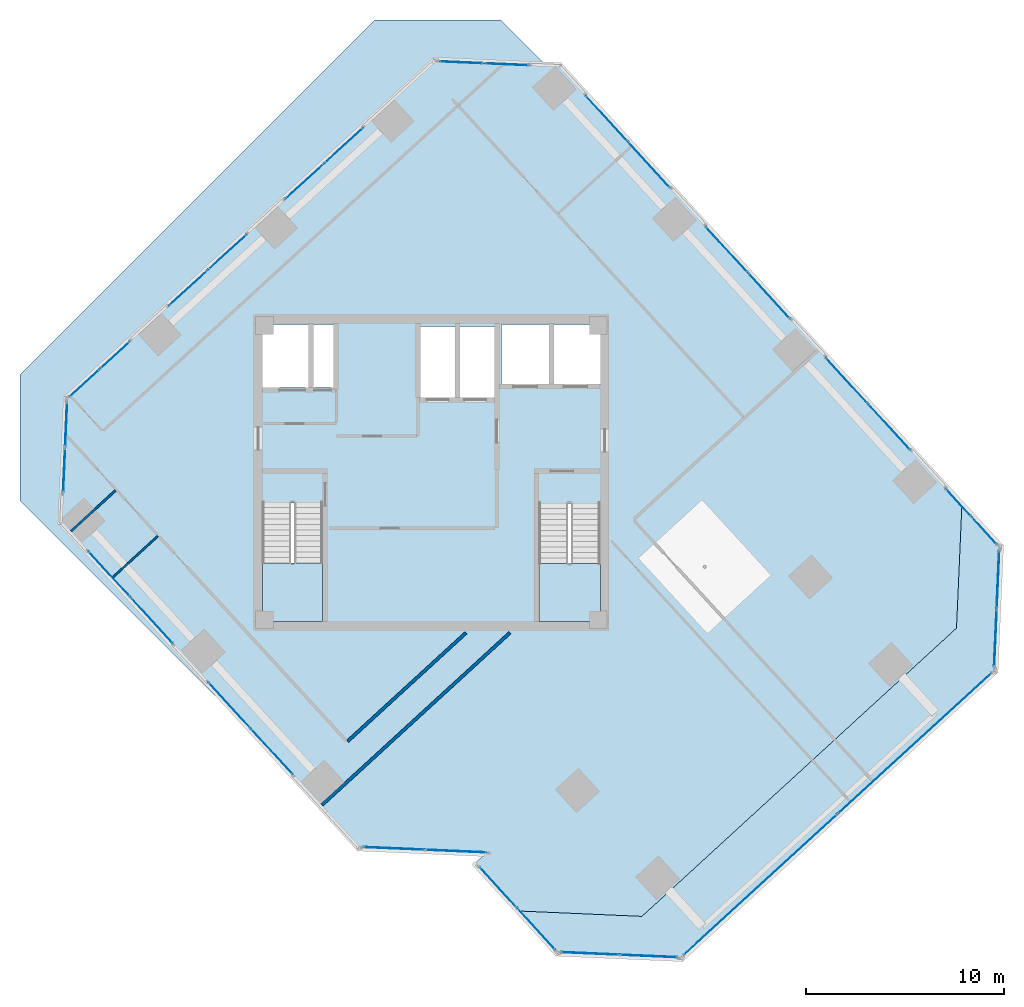
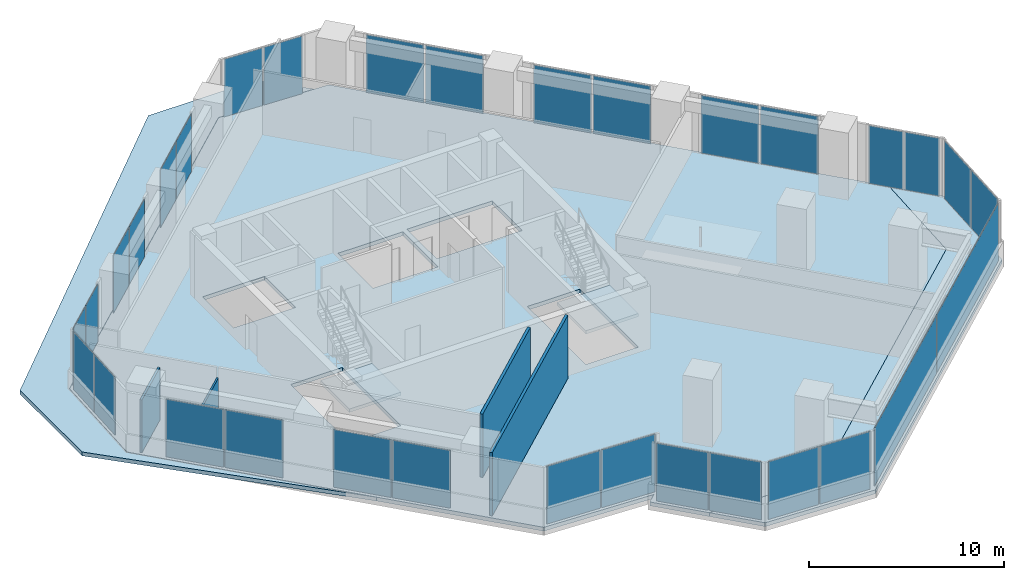
# One storey, part 11 of 17: 32 plates, 5 slabs, 4 walls, 18 elements without a shape of their own.
"""IFC4 building model written with IfcOpenShell, lengths in metres."""

from ifc_helpers import new_model, si_unit, direction, frame, frame_2d, origin, origin_2d, place, context, subcontext, project, spatial, polyline, rectangle, outline, extrude, source, transform, mapped, material, layer, layer_set, type_object, element, aggregate, save


model = new_model("IFC4")

# Units and contexts
model_context = context("Model", 3, precision=1e-05, world=origin(), true_north=direction((0.0, 1.0)))
body_context = subcontext(model_context, "Body", "Model", "MODEL_VIEW")
ifc_project = project(units=[si_unit("LENGTHUNIT", "METRE"), si_unit("AREAUNIT", "SQUARE_METRE"), si_unit("VOLUMEUNIT", "CUBIC_METRE"), si_unit("PLANEANGLEUNIT", "RADIAN"), si_unit("MASSUNIT", "GRAM", prefix="KILO")], contexts=[model_context])

# Site, building, storey
site_placement = place(None, origin())
site = spatial("IfcSite", under=ifc_project, at=site_placement, CompositionType="ELEMENT")
building_placement = place(site_placement, origin())
building = spatial("IfcBuilding", under=site, at=building_placement, Name="Torre Montelarca", CompositionType="ELEMENT")
storey_placement = place(building_placement, frame((0.0, 0.0, 254.199951171875)))
storey = spatial("IfcBuildingStorey", under=building, at=storey_placement, Name="L57", CompositionType="ELEMENT", Elevation=254.199951171875)

# Slabs
ifc_material_1 = material(Name="Concrete C40/50", Category="concrete")
ifc_layer_1 = layer(ifc_material_1, 0.239990234375, Name="Concrete C40/50", Category="concrete")
ifc_layer_set_1 = layer_set([ifc_layer_1], Name="Concrete C40/50")
slab_type_1 = type_object("IfcSlabType", Name="SL-FLR-240", PredefinedType="FLOOR", material=ifc_layer_set_1)
slab_1_placement = place(storey_placement, frame((0.0, 0.0, -0.239990234375)))
element("IfcSlab", 1, at=slab_1_placement, inside=storey, type_object=slab_type_1, Name="L57 Structural Floor Slab", PredefinedType="FLOOR", context=body_context, shape_type="SweptSolid", body=[
    extrude(outline(polyline([(14.297119140625, 12.92138671875), (20.65478515625, 12.643798828125), (20.138916015625, 12.1708984375), (22.30078125, 9.8115234375), (28.65869140625, 9.533935546875), (44.583740234375, 24.126708984375), (44.861328125, 30.484619140625), (24.526123046875, 52.676513671875), (18.168212890625, 52.9541015625), (-0.55859375, 35.794189453125), (-0.836181640625, 29.436279296875), (14.297119140625, 12.92138671875)]), holes=[polyline([(26.550048828125, 24.449951171875), (23.43994140625, 24.449951171875), (23.43994140625, 30.429931640625), (26.550048828125, 30.429931640625), (26.550048828125, 24.449951171875)]), polyline([(12.5, 24.449951171875), (9.449951171875, 24.449951171875), (9.449951171875, 30.4599609375), (12.5, 30.4599609375), (12.5, 24.449951171875)]), polyline([(21.25, 39.39990234375), (21.25, 35.800048828125), (17.39990234375, 35.800048828125), (17.39990234375, 39.39990234375), (21.25, 39.39990234375)]), polyline([(13.1201171875, 36.300048828125), (9.449951171875, 36.300048828125), (9.449951171875, 39.5), (13.1201171875, 39.5), (13.1201171875, 36.300048828125)]), polyline([(26.60009765625, 36.449951171875), (21.550048828125, 36.449951171875), (21.550048828125, 39.5), (26.60009765625, 39.5), (26.60009765625, 36.449951171875)])]), origin(), (0.0, 0.0, 1.0), 0.239990234375),
])
slab_2_placement = place(storey_placement, frame((0.0, 0.0, -0.239990234375)))
element("IfcSlab", 2, at=slab_2_placement, inside=storey, type_object=slab_type_1, Name="L57 Sliding Tray Winter Garden Floor Slab E1", PredefinedType="FLOOR", context=body_context, shape_type="SweptSolid", body=[
    extrude(outline(polyline([(44.861328125, 30.484619140625), (44.583740234375, 24.126708984375), (28.65869140625, 9.533935546875), (22.30078125, 9.8115234375), (24.327392578125, 7.599609375), (30.685302734375, 7.322021484375), (46.610595703125, 21.914794921875), (46.88818359375, 28.272705078125), (44.861328125, 30.484619140625)])), origin(), (0.0, 0.0, 1.0), 0.239990234375),
])
ifc_material_2 = material(Name="Architectural concrete C40/50", Category="concrete")
ifc_layer_2 = layer(ifc_material_2, 0.239990234375, Name="Architectural concrete C40/50", Category="concrete")
ifc_layer_set_2 = layer_set([ifc_layer_2], Name="Architectural concrete C40/50")
slab_type_2 = type_object("IfcSlabType", Name="SL-ROOF-EXT-240", PredefinedType="ROOF", material=ifc_layer_set_2)
slab_3_placement = place(storey_placement, frame((0.0, 0.0, -0.239990234375)))
element("IfcSlab", 3, at=slab_3_placement, inside=storey, type_object=slab_type_2, Name="L56 Setback and Tray Overhang Roof Cap Slab 01", PredefinedType="ROOF", context=body_context, shape_type="SweptSolid", body=[
    extrude(outline(polyline([(-0.84423828125, 29.433349609375), (-0.56640625, 35.7978515625), (18.165283203125, 52.96240234375), (23.689208984375, 52.72119140625), (21.5, 54.910400390625), (15.135986328125, 54.910400390625), (-2.824462890625, 36.94970703125), (-2.824462890625, 30.585693359375), (8.220458984375, 19.540771484375), (-0.84423828125, 29.433349609375)])), origin(), (0.0, 0.0, 1.0), 0.239990234375),
])

# Stair, slab
stair_type_1 = type_object("IfcStairType", Name="ST-CORE-ST1", PredefinedType="HALF_TURN_STAIR", material=ifc_material_1)
stair_1_placement = place(storey_placement, origin())
stair_1 = element("IfcStair", 4, at=stair_1_placement, inside=storey, type_object=stair_type_1, Name="L57 Protected Exit Stair ST1", PredefinedType="HALF_TURN_STAIR")
ifc_layer_3 = layer(ifc_material_1, 0.199951171875, Name="Concrete C40/50", Category="concrete")
ifc_layer_set_3 = layer_set([ifc_layer_3], Name="Concrete C40/50")
slab_type_3 = type_object("IfcSlabType", Name="SL-ST-LAND-ST1", PredefinedType="LANDING", material=ifc_layer_set_3)
slab_4_placement = place(storey_placement, frame((0.0, 0.0, 1.900146484375)))
slab_4 = element("IfcSlab", 5, at=slab_4_placement, type_object=slab_type_3, Name="ST1 landing 1", PredefinedType="LANDING", context=body_context, shape_type="SweptSolid", body=[
    extrude(outline(polyline([(9.449951171875, 27.419921875), (9.449951171875, 24.449951171875), (12.5, 24.449951171875), (12.5, 27.419921875), (9.449951171875, 27.419921875)])), origin(), (0.0, 0.0, 1.0), 0.199951171875),
])
aggregate(stair_1, [slab_4])

stair_type_2 = type_object("IfcStairType", Name="ST-CORE-ST2", PredefinedType="HALF_TURN_STAIR", material=ifc_material_1)
stair_2_placement = place(storey_placement, origin())
stair_2 = element("IfcStair", 6, at=stair_2_placement, inside=storey, type_object=stair_type_2, Name="L57 Protected Exit Stair ST2", PredefinedType="HALF_TURN_STAIR")
ifc_layer_4 = layer(ifc_material_1, 0.199951171875, Name="Concrete C40/50", Category="concrete")
ifc_layer_set_4 = layer_set([ifc_layer_4], Name="Concrete C40/50")
slab_type_4 = type_object("IfcSlabType", Name="SL-ST-LAND-ST2", PredefinedType="LANDING", material=ifc_layer_set_4)
slab_5_placement = place(storey_placement, frame((0.0, 0.0, 1.900146484375)))
slab_5 = element("IfcSlab", 7, at=slab_5_placement, type_object=slab_type_4, Name="ST2 landing 1", PredefinedType="LANDING", context=body_context, shape_type="SweptSolid", body=[
    extrude(outline(polyline([(23.43994140625, 27.389892578125), (23.43994140625, 24.449951171875), (26.550048828125, 24.449951171875), (26.550048828125, 27.389892578125), (23.43994140625, 27.389892578125)])), origin(), (0.0, 0.0, 1.0), 0.199951171875),
])
aggregate(stair_2, [slab_5])

# Curtain wall, plates
ifc_material_3 = material(Name="Insulated low-E laminated glass", Category="glass")
curtain_wall_type = type_object("IfcCurtainWallType", Name="CW-SYS-Z3", PredefinedType="USERDEFINED", material=ifc_material_3)
curtain_wall_1_placement = place(storey_placement, origin())
curtain_wall_1 = element("IfcCurtainWall", 8, at=curtain_wall_1_placement, inside=storey, type_object=curtain_wall_type, Name="L57 Curtain Wall Run CW-T3-L57-E02-B1", ObjectType="UNITISED GLAZING", PredefinedType="USERDEFINED")
ifc_layer_5 = layer(ifc_material_3, 0.031982421875, Name="Insulated low-E laminated glass", Category="glass")
ifc_layer_set_5 = layer_set([ifc_layer_5], Name="Insulated low-E laminated glass")
plate_type = type_object("IfcPlateType", Name="CWP-GLZ-32", PredefinedType="CURTAIN_PANEL", material=ifc_layer_set_5)
shared_shape_1 = source(origin(), body_context, "Body", "SweptSolid", [
    extrude(rectangle(XDim=3.08740234375, YDim=0.031982421875, at=origin_2d()), origin(), (0.0, 0.0, 1.0), 3.610107421875),
])
plate_1_placement = place(storey_placement, frame((16.085693359375, 12.973388671875, 0.05517578125), z_axis=(0.0, 0.0, 1.0), x_axis=(0.999048625573, -0.043610133473, 0.0)))
plate_1 = element("IfcPlate", 9, at=plate_1_placement, type_object=plate_type, Name="CW panel 1.1", PredefinedType="CURTAIN_PANEL", context=body_context, shape_type="MappedRepresentation", body=[
    mapped(shared_shape_1, transform((0.0, 0.0, 0.0), scale=1.0)),
])
plate_2_placement = place(storey_placement, frame((19.2451171875, 12.83544921875, 0.05517578125), z_axis=(0.0, 0.0, 1.0), x_axis=(0.999048625573, -0.043610133473, 0.0)))
plate_2 = element("IfcPlate", 10, at=plate_2_placement, type_object=plate_type, Name="CW panel 2.1", PredefinedType="CURTAIN_PANEL", context=body_context, shape_type="MappedRepresentation", body=[
    mapped(shared_shape_1, transform((0.0, 0.0, 0.0), scale=1.0)),
])
aggregate(curtain_wall_1, [plate_1, plate_2])

curtain_wall_2_placement = place(storey_placement, origin())
curtain_wall_2 = element("IfcCurtainWall", 11, at=curtain_wall_2_placement, inside=storey, type_object=curtain_wall_type, Name="L57 Curtain Wall Run CW-T3-L57-E05-B1", ObjectType="UNITISED GLAZING", PredefinedType="USERDEFINED")
shared_shape_2 = source(origin(), body_context, "Body", "SweptSolid", [
    extrude(rectangle(XDim=2.903564453125, YDim=0.031982421875, at=origin_2d()), origin(), (0.0, 0.0, 1.0), 3.610107421875),
])
plate_3_placement = place(storey_placement, frame((26.024169921875, 7.65576171875, 0.05517578125), z_axis=(0.0, 0.0, 1.0), x_axis=(0.999048385364, -0.043615635968, 0.0)))
plate_3 = element("IfcPlate", 12, at=plate_3_placement, type_object=plate_type, Name="CW panel 1.1", PredefinedType="CURTAIN_PANEL", context=body_context, shape_type="MappedRepresentation", body=[
    mapped(shared_shape_2, transform((0.0, 0.0, 0.0), scale=1.0)),
])
plate_4_placement = place(storey_placement, frame((29.0, 7.52587890625, 0.05517578125), z_axis=(0.0, 0.0, 1.0), x_axis=(0.999048385364, -0.043615635968, 0.0)))
plate_4 = element("IfcPlate", 13, at=plate_4_placement, type_object=plate_type, Name="CW panel 2.1", PredefinedType="CURTAIN_PANEL", context=body_context, shape_type="MappedRepresentation", body=[
    mapped(shared_shape_2, transform((0.0, 0.0, 0.0), scale=1.0)),
])
aggregate(curtain_wall_2, [plate_3, plate_4])

curtain_wall_3_placement = place(storey_placement, origin())
curtain_wall_3 = element("IfcCurtainWall", 14, at=curtain_wall_3_placement, inside=storey, type_object=curtain_wall_type, Name="L57 Curtain Wall Run CW-T3-L57-E07-B1", ObjectType="UNITISED GLAZING", PredefinedType="USERDEFINED")
plate_5_placement = place(storey_placement, frame((46.554443359375, 23.611572265625, 0.05517578125), z_axis=(0.0, 0.0, 1.0), x_axis=(0.043615635968, 0.999048385364, 0.0)))
plate_5 = element("IfcPlate", 15, at=plate_5_placement, type_object=plate_type, Name="CW panel 1.1", PredefinedType="CURTAIN_PANEL", context=body_context, shape_type="MappedRepresentation", body=[
    mapped(shared_shape_2, transform((0.0, 0.0, 0.0), scale=1.0)),
])
plate_6_placement = place(storey_placement, frame((46.684326171875, 26.58740234375, 0.05517578125), z_axis=(0.0, 0.0, 1.0), x_axis=(0.043615635968, 0.999048385364, 0.0)))
plate_6 = element("IfcPlate", 16, at=plate_6_placement, type_object=plate_type, Name="CW panel 2.1", PredefinedType="CURTAIN_PANEL", context=body_context, shape_type="MappedRepresentation", body=[
    mapped(shared_shape_2, transform((0.0, 0.0, 0.0), scale=1.0)),
])
aggregate(curtain_wall_3, [plate_5, plate_6])

curtain_wall_4_placement = place(storey_placement, origin())
curtain_wall_4 = element("IfcCurtainWall", 17, at=curtain_wall_4_placement, inside=storey, type_object=curtain_wall_type, Name="L57 Curtain Wall Run CW-T3-L57-E01-B1", ObjectType="UNITISED GLAZING", PredefinedType="USERDEFINED")
shared_shape_3 = source(origin(), body_context, "Body", "SweptSolid", [
    extrude(rectangle(XDim=3.107421875, YDim=0.031982421875, at=origin_2d()), origin(), (0.0, 0.0, 1.0), 3.610107421875),
])
plate_7_placement = place(storey_placement, frame((1.69775390625, 26.863525390625, 0.05517578125), z_axis=(0.0, 0.0, 1.0), x_axis=(0.675587502621, -0.737279815472, 0.0)))
plate_7 = element("IfcPlate", 18, at=plate_7_placement, type_object=plate_type, Name="CW panel 1.1", PredefinedType="CURTAIN_PANEL", context=body_context, shape_type="MappedRepresentation", body=[
    mapped(shared_shape_3, transform((0.0, 0.0, 0.0), scale=1.0)),
])
plate_8_placement = place(storey_placement, frame((3.84765625, 24.51708984375, 0.05517578125), z_axis=(0.0, 0.0, 1.0), x_axis=(0.675587502621, -0.737279815472, 0.0)))
plate_8 = element("IfcPlate", 19, at=plate_8_placement, type_object=plate_type, Name="CW panel 2.1", PredefinedType="CURTAIN_PANEL", context=body_context, shape_type="MappedRepresentation", body=[
    mapped(shared_shape_3, transform((0.0, 0.0, 0.0), scale=1.0)),
])
aggregate(curtain_wall_4, [plate_7, plate_8])

curtain_wall_5_placement = place(storey_placement, origin())
curtain_wall_5 = element("IfcCurtainWall", 20, at=curtain_wall_5_placement, inside=storey, type_object=curtain_wall_type, Name="L57 Curtain Wall Run CW-T3-L57-E01-B2", ObjectType="UNITISED GLAZING", PredefinedType="USERDEFINED")
plate_9_placement = place(storey_placement, frame((7.778076171875, 20.22802734375, 0.05517578125), z_axis=(0.0, 0.0, 1.0), x_axis=(0.675587502621, -0.737279815472, 0.0)))
plate_9 = element("IfcPlate", 21, at=plate_9_placement, type_object=plate_type, Name="CW panel 1.1", PredefinedType="CURTAIN_PANEL", context=body_context, shape_type="MappedRepresentation", body=[
    mapped(shared_shape_3, transform((0.0, 0.0, 0.0), scale=1.0)),
])
plate_10_placement = place(storey_placement, frame((9.927978515625, 17.881591796875, 0.05517578125), z_axis=(0.0, 0.0, 1.0), x_axis=(0.675587502621, -0.737279815472, 0.0)))
plate_10 = element("IfcPlate", 22, at=plate_10_placement, type_object=plate_type, Name="CW panel 2.1", PredefinedType="CURTAIN_PANEL", context=body_context, shape_type="MappedRepresentation", body=[
    mapped(shared_shape_3, transform((0.0, 0.0, 0.0), scale=1.0)),
])
aggregate(curtain_wall_5, [plate_9, plate_10])

curtain_wall_6_placement = place(storey_placement, origin())
curtain_wall_6 = element("IfcCurtainWall", 23, at=curtain_wall_6_placement, inside=storey, type_object=curtain_wall_type, Name="L57 Curtain Wall Run CW-T3-L57-E08-B2", ObjectType="UNITISED GLAZING", PredefinedType="USERDEFINED")
plate_11_placement = place(storey_placement, frame((41.178955078125, 34.310791015625, 0.05517578125), z_axis=(0.0, 0.0, 1.0), x_axis=(-0.675587502621, 0.737279815472, 0.0)))
plate_11 = element("IfcPlate", 24, at=plate_11_placement, type_object=plate_type, Name="CW panel 1.1", PredefinedType="CURTAIN_PANEL", context=body_context, shape_type="MappedRepresentation", body=[
    mapped(shared_shape_3, transform((0.0, 0.0, 0.0), scale=1.0)),
])
plate_12_placement = place(storey_placement, frame((39.02880859375, 36.6572265625, 0.05517578125), z_axis=(0.0, 0.0, 1.0), x_axis=(-0.675587502621, 0.737279815472, 0.0)))
plate_12 = element("IfcPlate", 25, at=plate_12_placement, type_object=plate_type, Name="CW panel 2.1", PredefinedType="CURTAIN_PANEL", context=body_context, shape_type="MappedRepresentation", body=[
    mapped(shared_shape_3, transform((0.0, 0.0, 0.0), scale=1.0)),
])
aggregate(curtain_wall_6, [plate_11, plate_12])

curtain_wall_7_placement = place(storey_placement, origin())
curtain_wall_7 = element("IfcCurtainWall", 26, at=curtain_wall_7_placement, inside=storey, type_object=curtain_wall_type, Name="L57 Curtain Wall Run CW-T3-L57-E08-B3", ObjectType="UNITISED GLAZING", PredefinedType="USERDEFINED")
plate_13_placement = place(storey_placement, frame((35.0986328125, 40.9462890625, 0.05517578125), z_axis=(0.0, 0.0, 1.0), x_axis=(-0.675587502621, 0.737279815472, 0.0)))
plate_13 = element("IfcPlate", 27, at=plate_13_placement, type_object=plate_type, Name="CW panel 1.1", PredefinedType="CURTAIN_PANEL", context=body_context, shape_type="MappedRepresentation", body=[
    mapped(shared_shape_3, transform((0.0, 0.0, 0.0), scale=1.0)),
])
plate_14_placement = place(storey_placement, frame((32.948486328125, 43.292724609375, 0.05517578125), z_axis=(0.0, 0.0, 1.0), x_axis=(-0.675587502621, 0.737279815472, 0.0)))
plate_14 = element("IfcPlate", 28, at=plate_14_placement, type_object=plate_type, Name="CW panel 2.1", PredefinedType="CURTAIN_PANEL", context=body_context, shape_type="MappedRepresentation", body=[
    mapped(shared_shape_3, transform((0.0, 0.0, 0.0), scale=1.0)),
])
aggregate(curtain_wall_7, [plate_13, plate_14])

curtain_wall_8_placement = place(storey_placement, origin())
curtain_wall_8 = element("IfcCurtainWall", 29, at=curtain_wall_8_placement, inside=storey, type_object=curtain_wall_type, Name="L57 Curtain Wall Run CW-T3-L57-E08-B4", ObjectType="UNITISED GLAZING", PredefinedType="USERDEFINED")
plate_15_placement = place(storey_placement, frame((29.018310546875, 47.581787109375, 0.05517578125), z_axis=(0.0, 0.0, 1.0), x_axis=(-0.675587502621, 0.737279815472, 0.0)))
plate_15 = element("IfcPlate", 30, at=plate_15_placement, type_object=plate_type, Name="CW panel 1.1", PredefinedType="CURTAIN_PANEL", context=body_context, shape_type="MappedRepresentation", body=[
    mapped(shared_shape_3, transform((0.0, 0.0, 0.0), scale=1.0)),
])
plate_16_placement = place(storey_placement, frame((26.8681640625, 49.92822265625, 0.05517578125), z_axis=(0.0, 0.0, 1.0), x_axis=(-0.675587502621, 0.737279815472, 0.0)))
plate_16 = element("IfcPlate", 31, at=plate_16_placement, type_object=plate_type, Name="CW panel 2.1", PredefinedType="CURTAIN_PANEL", context=body_context, shape_type="MappedRepresentation", body=[
    mapped(shared_shape_3, transform((0.0, 0.0, 0.0), scale=1.0)),
])
aggregate(curtain_wall_8, [plate_15, plate_16])

curtain_wall_9_placement = place(storey_placement, origin())
curtain_wall_9 = element("IfcCurtainWall", 32, at=curtain_wall_9_placement, inside=storey, type_object=curtain_wall_type, Name="L57 Curtain Wall Run CW-T3-L57-E06-B1", ObjectType="UNITISED GLAZING", PredefinedType="USERDEFINED")
shared_shape_4 = source(origin(), body_context, "Body", "SweptSolid", [
    extrude(rectangle(XDim=10.521728515625, YDim=0.031982421875, at=origin_2d()), origin(), (0.0, 0.0, 1.0), 3.610107421875),
])
plate_17_placement = place(storey_placement, frame((34.65380859375, 11.134765625, 0.05517578125), z_axis=(0.0, 0.0, 1.0), x_axis=(0.73728001228, 0.675587287841, 0.0)))
plate_17 = element("IfcPlate", 33, at=plate_17_placement, type_object=plate_type, Name="CW panel 1.1", PredefinedType="CURTAIN_PANEL", context=body_context, shape_type="MappedRepresentation", body=[
    mapped(shared_shape_4, transform((0.0, 0.0, 0.0), scale=1.0)),
])
plate_18_placement = place(storey_placement, frame((42.466552734375, 18.293701171875, 0.05517578125), z_axis=(0.0, 0.0, 1.0), x_axis=(0.73728001228, 0.675587287841, 0.0)))
plate_18 = element("IfcPlate", 34, at=plate_18_placement, type_object=plate_type, Name="CW panel 2.1", PredefinedType="CURTAIN_PANEL", context=body_context, shape_type="MappedRepresentation", body=[
    mapped(shared_shape_4, transform((0.0, 0.0, 0.0), scale=1.0)),
])
aggregate(curtain_wall_9, [plate_17, plate_18])

curtain_wall_10_placement = place(storey_placement, origin())
curtain_wall_10 = element("IfcCurtainWall", 35, at=curtain_wall_10_placement, inside=storey, type_object=curtain_wall_type, Name="L57 Curtain Wall Run CW-T3-L57-E08-B1", ObjectType="UNITISED GLAZING", PredefinedType="USERDEFINED")
shared_shape_5 = source(origin(), body_context, "Body", "SweptSolid", [
    extrude(rectangle(XDim=1.864501953125, YDim=0.031982421875, at=origin_2d()), origin(), (0.0, 0.0, 1.0), 3.610107421875),
])
plate_19_placement = place(storey_placement, frame((45.999755859375, 29.0498046875, 0.05517578125), z_axis=(0.0, 0.0, 1.0), x_axis=(-0.675580323, 0.73728639427, 0.0)))
plate_19 = element("IfcPlate", 36, at=plate_19_placement, type_object=plate_type, Name="CW panel 1.1", PredefinedType="CURTAIN_PANEL", context=body_context, shape_type="MappedRepresentation", body=[
    mapped(shared_shape_5, transform((0.0, 0.0, 0.0), scale=1.0)),
])
plate_20_placement = place(storey_placement, frame((44.689208984375, 30.479736328125, 0.05517578125), z_axis=(0.0, 0.0, 1.0), x_axis=(-0.675580323, 0.73728639427, 0.0)))
plate_20 = element("IfcPlate", 37, at=plate_20_placement, type_object=plate_type, Name="CW panel 2.1", PredefinedType="CURTAIN_PANEL", context=body_context, shape_type="MappedRepresentation", body=[
    mapped(shared_shape_5, transform((0.0, 0.0, 0.0), scale=1.0)),
])
aggregate(curtain_wall_10, [plate_19, plate_20])

curtain_wall_11_placement = place(storey_placement, origin())
curtain_wall_11 = element("IfcCurtainWall", 38, at=curtain_wall_11_placement, inside=storey, type_object=curtain_wall_type, Name="L57 Curtain Wall Run CW-T3-L57-E10-B1", ObjectType="UNITISED GLAZING", PredefinedType="USERDEFINED")
shared_shape_6 = source(origin(), body_context, "Body", "SweptSolid", [
    extrude(rectangle(XDim=2.607421875, YDim=0.031982421875, at=origin_2d()), origin(), (0.0, 0.0, 1.0), 3.610107421875),
])
plate_21_placement = place(storey_placement, frame((13.56787109375, 48.5625, 0.05517578125), z_axis=(0.0, 0.0, 1.0), x_axis=(-0.737279266272, -0.675588101971, 0.0)))
plate_21 = element("IfcPlate", 39, at=plate_21_placement, type_object=plate_type, Name="CW panel 1.1", PredefinedType="CURTAIN_PANEL", context=body_context, shape_type="MappedRepresentation", body=[
    mapped(shared_shape_6, transform((0.0, 0.0, 0.0), scale=1.0)),
])
plate_22_placement = place(storey_placement, frame((11.590087890625, 46.750244140625, 0.05517578125), z_axis=(0.0, 0.0, 1.0), x_axis=(-0.737279266272, -0.675588101971, 0.0)))
plate_22 = element("IfcPlate", 40, at=plate_22_placement, type_object=plate_type, Name="CW panel 2.1", PredefinedType="CURTAIN_PANEL", context=body_context, shape_type="MappedRepresentation", body=[
    mapped(shared_shape_6, transform((0.0, 0.0, 0.0), scale=1.0)),
])
aggregate(curtain_wall_11, [plate_21, plate_22])

curtain_wall_12_placement = place(storey_placement, origin())
curtain_wall_12 = element("IfcCurtainWall", 41, at=curtain_wall_12_placement, inside=storey, type_object=curtain_wall_type, Name="L57 Curtain Wall Run CW-T3-L57-E10-B2", ObjectType="UNITISED GLAZING", PredefinedType="USERDEFINED")
plate_23_placement = place(storey_placement, frame((7.669677734375, 43.15771484375, 0.05517578125), z_axis=(0.0, 0.0, 1.0), x_axis=(-0.737279266272, -0.675588101971, 0.0)))
plate_23 = element("IfcPlate", 42, at=plate_23_placement, type_object=plate_type, Name="CW panel 1.1", PredefinedType="CURTAIN_PANEL", context=body_context, shape_type="MappedRepresentation", body=[
    mapped(shared_shape_6, transform((0.0, 0.0, 0.0), scale=1.0)),
])
plate_24_placement = place(storey_placement, frame((5.69189453125, 41.345458984375, 0.05517578125), z_axis=(0.0, 0.0, 1.0), x_axis=(-0.737279266272, -0.675588101971, 0.0)))
plate_24 = element("IfcPlate", 43, at=plate_24_placement, type_object=plate_type, Name="CW panel 2.1", PredefinedType="CURTAIN_PANEL", context=body_context, shape_type="MappedRepresentation", body=[
    mapped(shared_shape_6, transform((0.0, 0.0, 0.0), scale=1.0)),
])
aggregate(curtain_wall_12, [plate_23, plate_24])

curtain_wall_13_placement = place(storey_placement, origin())
curtain_wall_13 = element("IfcCurtainWall", 44, at=curtain_wall_13_placement, inside=storey, type_object=curtain_wall_type, Name="L57 Curtain Wall Run CW-T3-L57-E10-B3", ObjectType="UNITISED GLAZING", PredefinedType="USERDEFINED")
shared_shape_7 = source(origin(), body_context, "Body", "SweptSolid", [
    extrude(rectangle(XDim=2.0146484375, YDim=0.031982421875, at=origin_2d()), origin(), (0.0, 0.0, 1.0), 3.610107421875),
])
plate_25_placement = place(storey_placement, frame((1.989990234375, 37.953369140625, 0.05517578125), z_axis=(0.0, 0.0, 1.0), x_axis=(-0.737284872213, -0.675581984074, 0.0)))
plate_25 = element("IfcPlate", 45, at=plate_25_placement, type_object=plate_type, Name="CW panel 1.1", PredefinedType="CURTAIN_PANEL", context=body_context, shape_type="MappedRepresentation", body=[
    mapped(shared_shape_7, transform((0.0, 0.0, 0.0), scale=1.0)),
])
plate_26_placement = place(storey_placement, frame((0.449462890625, 36.54150390625, 0.05517578125), z_axis=(0.0, 0.0, 1.0), x_axis=(-0.737284872213, -0.675581984074, 0.0)))
plate_26 = element("IfcPlate", 46, at=plate_26_placement, type_object=plate_type, Name="CW panel 2.1", PredefinedType="CURTAIN_PANEL", context=body_context, shape_type="MappedRepresentation", body=[
    mapped(shared_shape_7, transform((0.0, 0.0, 0.0), scale=1.0)),
])
aggregate(curtain_wall_13, [plate_25, plate_26])

curtain_wall_14_placement = place(storey_placement, origin())
curtain_wall_14 = element("IfcCurtainWall", 47, at=curtain_wall_14_placement, inside=storey, type_object=curtain_wall_type, Name="L57 Curtain Wall Run CW-T3-L57-E11-B1", ObjectType="UNITISED GLAZING", PredefinedType="USERDEFINED")
shared_shape_8 = source(origin(), body_context, "Body", "SweptSolid", [
    extrude(rectangle(XDim=2.240478515625, YDim=0.031982421875, at=origin_2d()), origin(), (0.0, 0.0, 1.0), 3.610107421875),
])
plate_27_placement = place(storey_placement, frame((-0.488037109375, 34.4287109375, 0.05517578125), z_axis=(0.0, 0.0, 1.0), x_axis=(-0.043626268384, -0.999047921126, 0.0)))
plate_27 = element("IfcPlate", 48, at=plate_27_placement, type_object=plate_type, Name="CW panel 1.1", PredefinedType="CURTAIN_PANEL", context=body_context, shape_type="MappedRepresentation", body=[
    mapped(shared_shape_8, transform((0.0, 0.0, 0.0), scale=1.0)),
])
plate_28_placement = place(storey_placement, frame((-0.589111328125, 32.115478515625, 0.05517578125), z_axis=(0.0, 0.0, 1.0), x_axis=(-0.043626268384, -0.999047921126, 0.0)))
plate_28 = element("IfcPlate", 49, at=plate_28_placement, type_object=plate_type, Name="CW panel 2.1", PredefinedType="CURTAIN_PANEL", context=body_context, shape_type="MappedRepresentation", body=[
    mapped(shared_shape_8, transform((0.0, 0.0, 0.0), scale=1.0)),
])
aggregate(curtain_wall_14, [plate_27, plate_28])

curtain_wall_15_placement = place(storey_placement, origin())
curtain_wall_15 = element("IfcCurtainWall", 50, at=curtain_wall_15_placement, inside=storey, type_object=curtain_wall_type, Name="L57 Curtain Wall Run CW-T3-L57-E04-B1", ObjectType="UNITISED GLAZING", PredefinedType="USERDEFINED")
shared_shape_9 = source(origin(), body_context, "Body", "SweptSolid", [
    extrude(rectangle(XDim=2.78369140625, YDim=0.031982421875, at=origin_2d()), origin(), (0.0, 0.0, 1.0), 3.610107421875),
])
plate_29_placement = place(storey_placement, frame((21.38916015625, 10.998779296875, 0.05517578125), z_axis=(0.0, 0.0, 1.0), x_axis=(0.675572948157, -0.737293151819, 0.0)))
plate_29 = element("IfcPlate", 51, at=plate_29_placement, type_object=plate_type, Name="CW panel 1.1", PredefinedType="CURTAIN_PANEL", context=body_context, shape_type="MappedRepresentation", body=[
    mapped(shared_shape_9, transform((0.0, 0.0, 0.0), scale=1.0)),
])
plate_30_placement = place(storey_placement, frame((23.3203125, 8.89111328125, 0.05517578125), z_axis=(0.0, 0.0, 1.0), x_axis=(0.675572948157, -0.737293151819, 0.0)))
plate_30 = element("IfcPlate", 52, at=plate_30_placement, type_object=plate_type, Name="CW panel 2.1", PredefinedType="CURTAIN_PANEL", context=body_context, shape_type="MappedRepresentation", body=[
    mapped(shared_shape_9, transform((0.0, 0.0, 0.0), scale=1.0)),
])
aggregate(curtain_wall_15, [plate_29, plate_30])

curtain_wall_16_placement = place(storey_placement, origin())
curtain_wall_16 = element("IfcCurtainWall", 53, at=curtain_wall_16_placement, inside=storey, type_object=curtain_wall_type, Name="L57 Curtain Wall Run CW-T3-L57-E09-B1", ObjectType="UNITISED GLAZING", PredefinedType="USERDEFINED")
shared_shape_10 = source(origin(), body_context, "Body", "SweptSolid", [
    extrude(rectangle(XDim=2.222900390625, YDim=0.031982421875, at=origin_2d()), origin(), (0.0, 0.0, 1.0), 3.610107421875),
])
plate_31_placement = place(storey_placement, frame((21.80908203125, 52.6650390625, 0.05517578125), z_axis=(0.0, 0.0, 1.0), x_axis=(-0.999048507919, 0.043612828662, 0.0)))
plate_31 = element("IfcPlate", 54, at=plate_31_placement, type_object=plate_type, Name="CW panel 1.1", PredefinedType="CURTAIN_PANEL", context=body_context, shape_type="MappedRepresentation", body=[
    mapped(shared_shape_10, transform((0.0, 0.0, 0.0), scale=1.0)),
])
plate_32_placement = place(storey_placement, frame((19.513427734375, 52.765380859375, 0.05517578125), z_axis=(0.0, 0.0, 1.0), x_axis=(-0.999048507919, 0.043612828662, 0.0)))
plate_32 = element("IfcPlate", 55, at=plate_32_placement, type_object=plate_type, Name="CW panel 2.1", PredefinedType="CURTAIN_PANEL", context=body_context, shape_type="MappedRepresentation", body=[
    mapped(shared_shape_10, transform((0.0, 0.0, 0.0), scale=1.0)),
])
aggregate(curtain_wall_16, [plate_31, plate_32])

# Walls
ifc_material_4 = material(Name="Gypsum plasterboard on steel stud", Category="steel")
ifc_layer_6 = layer(ifc_material_4, 0.159912109375, Name="Gypsum plasterboard on steel stud", Category="steel")
ifc_layer_set_6 = layer_set([ifc_layer_6], Name="Gypsum plasterboard on steel stud")
wall_type_1 = type_object("IfcWallType", Name="PW-FIRE-160", PredefinedType="PARTITIONING", material=ifc_layer_set_6)
wall_1_placement = place(storey_placement, frame((13.764892578125, 18.401611328125, 0.0), z_axis=(0.0, 0.0, 1.0), x_axis=(0.737266340408, 0.675602207887, 0.0)))
element("IfcWall", 56, at=wall_1_placement, inside=storey, type_object=wall_type_1, Name="L57 Interior Partition W-L57-SOCCW3", PredefinedType="PARTITIONING", context=body_context, shape_type="SweptSolid", body=[
    extrude(rectangle(XDim=8.128173828125, YDim=0.159912109375, at=frame_2d((4.06396484375, 0.0))), origin(), (0.0, 0.0, 1.0), 3.9599609375),
])
wall_2_placement = place(storey_placement, frame((12.470458984375, 15.180908203125, 0.0), z_axis=(0.0, 0.0, 1.0), x_axis=(0.737265724175, 0.675602880365, 0.0)))
element("IfcWall", 57, at=wall_2_placement, inside=storey, type_object=wall_type_1, Name="L57 Interior Partition W-L57-ECS", PredefinedType="PARTITIONING", context=body_context, shape_type="SweptSolid", body=[
    extrude(rectangle(XDim=12.895263671875, YDim=0.159912109375, at=frame_2d((6.44775390625, 0.0))), origin(), (0.0, 0.0, 1.0), 3.9599609375),
])
ifc_material_5 = material(Name="Acoustic laminated glass partition", Category="glass")
ifc_layer_7 = layer(ifc_material_5, 0.10009765625, Name="Acoustic laminated glass partition", Category="glass")
ifc_layer_set_7 = layer_set([ifc_layer_7], Name="Acoustic laminated glass partition")
wall_type_2 = type_object("IfcWallType", Name="PW-GLAZ-100", PredefinedType="PARTITIONING", material=ifc_layer_set_7)
wall_3_placement = place(storey_placement, frame((1.8974609375, 26.719482421875, 0.0), z_axis=(0.0, 0.0, 1.0), x_axis=(0.737290351983, 0.675576003772, 0.0)))
element("IfcWall", 58, at=wall_3_placement, inside=storey, type_object=wall_type_2, Name="L57 Interior Partition W-L57-SWCDIV", PredefinedType="PARTITIONING", context=body_context, shape_type="SweptSolid", body=[
    extrude(rectangle(XDim=3.050048828125, YDim=0.10009765625, at=frame_2d((1.52490234375, 0.0))), origin(), (0.0, 0.0, 1.0), 3.295166015625),
])
ifc_layer_8 = layer(ifc_material_4, 0.114990234375, Name="Gypsum plasterboard on steel stud", Category="steel")
ifc_layer_set_8 = layer_set([ifc_layer_8], Name="Gypsum plasterboard on steel stud")
wall_type_3 = type_object("IfcWallType", Name="PW-PART-115", PredefinedType="PARTITIONING", material=ifc_layer_set_8)
wall_4_placement = place(storey_placement, frame((-0.230712890625, 29.041748046875, 0.0), z_axis=(0.0, 0.0, 1.0), x_axis=(0.737290351983, 0.675576003772, 0.0)))
element("IfcWall", 59, at=wall_4_placement, inside=storey, type_object=wall_type_3, Name="L57 Interior Partition W-L57-WCD", PredefinedType="PARTITIONING", context=body_context, shape_type="SweptSolid", body=[
    extrude(rectangle(XDim=3.050048828125, YDim=0.114990234375, at=frame_2d((1.52490234375, 0.0))), origin(), (0.0, 0.0, 1.0), 3.295166015625),
])

save(model, "model.ifc")
